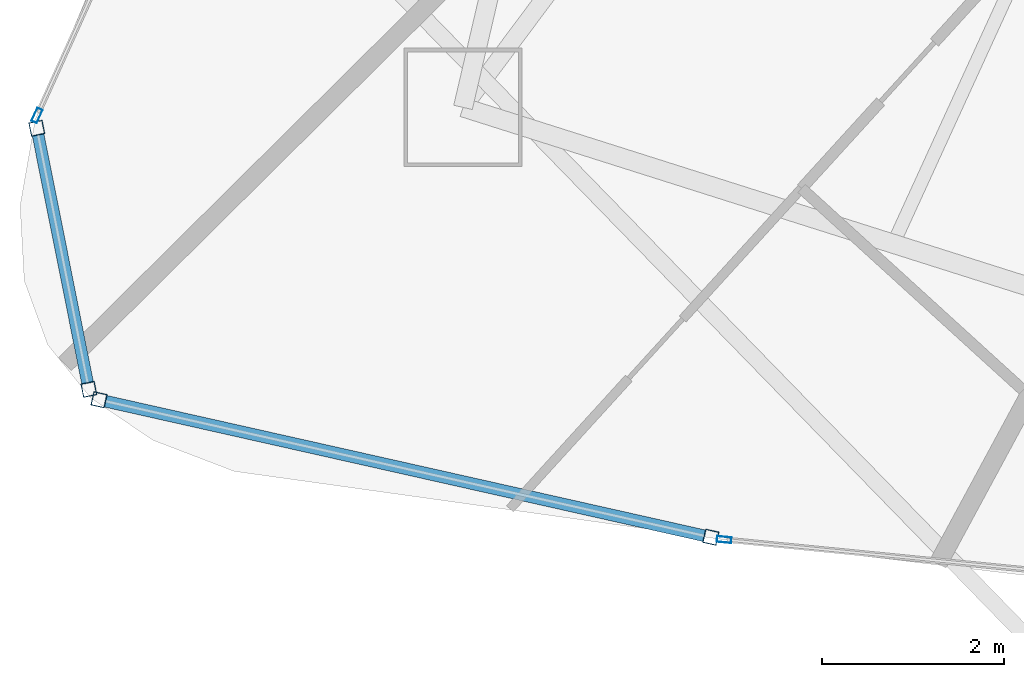
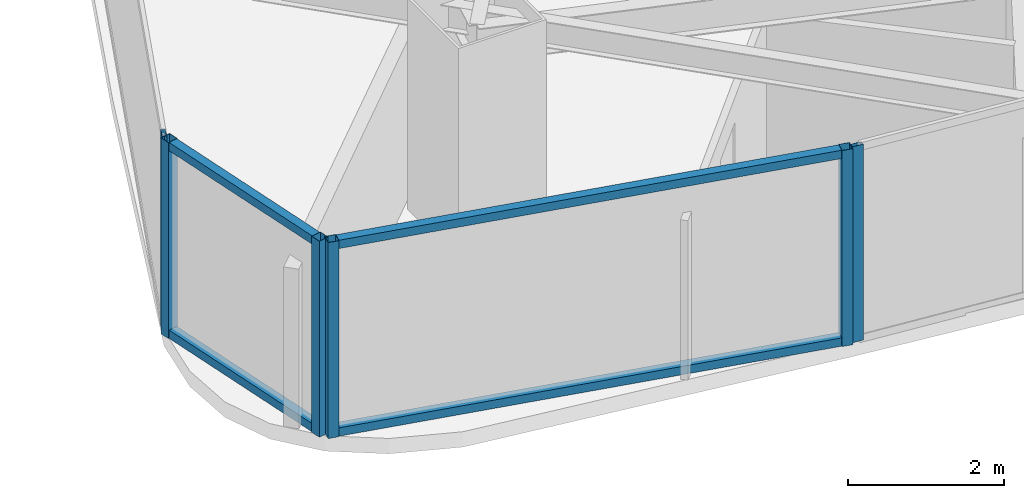
# One storey, part 2 of 34: 10 members, 4 elements without a shape of their own.
"""IFC4 building model written with IfcOpenShell, lengths in metres."""

from ifc_helpers import new_model, si_unit, direction, frame, origin, origin_2d, place, context, subcontext, project, spatial, hollow_rectangle, extrude, material, layer, layer_set, material_profile, profile_set, type_object, element, aggregate, save


model = new_model("IFC4")

# Units and contexts
model_context = context("Model", 3, precision=1e-05, world=origin(), true_north=direction((0.0, 1.0)))
body_context = subcontext(model_context, "Body", "Model", "MODEL_VIEW")
ifc_project = project(units=[si_unit("LENGTHUNIT", "METRE"), si_unit("AREAUNIT", "SQUARE_METRE"), si_unit("VOLUMEUNIT", "CUBIC_METRE"), si_unit("PLANEANGLEUNIT", "RADIAN"), si_unit("MASSUNIT", "GRAM", prefix="KILO")], contexts=[model_context])

# Site, building, storey
site_placement = place(None, origin())
site = spatial("IfcSite", under=ifc_project, at=site_placement, CompositionType="ELEMENT")
building_placement = place(site_placement, origin())
building = spatial("IfcBuilding", under=site, at=building_placement, Name="Orvanel Arch Residences", CompositionType="ELEMENT")
storey_placement = place(building_placement, frame((0.0, 0.0, 199.699951171875)))
storey = spatial("IfcBuildingStorey", under=building, at=storey_placement, Name="L56", CompositionType="ELEMENT", Elevation=199.699951171875)

# Curtain wall, members
ifc_material = material(Name="Bronze-anodised aluminium AA6063-T6", Category="aluminium")
ifc_layer_1 = layer(ifc_material, 0.18994140625)
ifc_layer_set_1 = layer_set([ifc_layer_1], Name="Bronze-anodised aluminium AA6063-T6")
curtain_wall_type_1 = type_object("IfcCurtainWallType", Name="CW5-CRN-SYS", PredefinedType="NOTDEFINED", material=ifc_layer_set_1)
curtain_wall_1_placement = place(storey_placement, origin())
curtain_wall_1 = element("IfcCurtainWall", 1, at=curtain_wall_1_placement, inside=storey, type_object=curtain_wall_type_1, Name="L56 CW5-CRN-SYS Unitised Curtain Wall", PredefinedType="NOTDEFINED")
ifc_material_profile_1 = material_profile(ifc_material, hollow_rectangle(XDim=0.14990234375, YDim=0.14990234375, WallThickness=0.0048828125, at=origin_2d()), Name="ALU150x150x5")
ifc_profile_set_1 = profile_set([ifc_material_profile_1], Name="Bronze-anodised aluminium AA6063-T6")
member_type_1 = type_object("IfcMemberType", Name="MUL-150x150", PredefinedType="MULLION", material=ifc_profile_set_1)
member_1_placement = place(storey_placement, frame((9.517578125, 10.121337890625, 0.0), z_axis=(0.0, 0.0, 1.0), x_axis=(0.980705582129, 0.195490565454, 0.0)))
member_1 = element("IfcMember", 2, at=member_1_placement, type_object=member_type_1, Name="CW-S5 mullion 1", PredefinedType="MULLION", context=body_context, shape_type="SweptSolid", body=[
    extrude(hollow_rectangle(XDim=0.14990234375, YDim=0.14990234375, WallThickness=0.0048828125, at=origin_2d()), origin(), (0.0, 0.0, 1.0), 3.06005859375),
])
member_2_placement = place(storey_placement, frame((10.08935546875, 7.253662109375, 0.0), z_axis=(0.0, 0.0, 1.0), x_axis=(0.980705582129, 0.195490565454, 0.0)))
member_2 = element("IfcMember", 3, at=member_2_placement, type_object=member_type_1, Name="CW-S5 mullion 2", PredefinedType="MULLION", context=body_context, shape_type="SweptSolid", body=[
    extrude(hollow_rectangle(XDim=0.14990234375, YDim=0.14990234375, WallThickness=0.0048828125, at=origin_2d()), origin(), (0.0, 0.0, 1.0), 3.06005859375),
])

curtain_wall_2_placement = place(storey_placement, origin())
curtain_wall_2 = element("IfcCurtainWall", 4, at=curtain_wall_2_placement, inside=storey, type_object=curtain_wall_type_1, Name="L56 CW5-CRN-SYS Unitised Curtain Wall", PredefinedType="NOTDEFINED")
member_3_placement = place(storey_placement, frame((10.201171875, 7.1396484375, 0.0), z_axis=(0.0, 0.0, 1.0), x_axis=(0.219261968278, 0.975666023426, 0.0)))
member_3 = element("IfcMember", 5, at=member_3_placement, type_object=member_type_1, Name="CW-S5 mullion 1", PredefinedType="MULLION", context=body_context, shape_type="SweptSolid", body=[
    extrude(hollow_rectangle(XDim=0.14990234375, YDim=0.14990234375, WallThickness=0.0048828125, at=origin_2d()), origin(), (0.0, 0.0, 1.0), 3.06005859375),
])
member_4_placement = place(storey_placement, frame((16.9208984375, 5.62939453125, 0.0), z_axis=(0.0, 0.0, 1.0), x_axis=(0.219261968278, 0.975666023426, 0.0)))
member_4 = element("IfcMember", 6, at=member_4_placement, type_object=member_type_1, Name="CW-S5 mullion 2", PredefinedType="MULLION", context=body_context, shape_type="SweptSolid", body=[
    extrude(hollow_rectangle(XDim=0.14990234375, YDim=0.14990234375, WallThickness=0.0048828125, at=origin_2d()), origin(), (0.0, 0.0, 1.0), 3.06005859375),
])

# Curtain wall, member
ifc_layer_2 = layer(ifc_material, 0.175048828125)
ifc_layer_set_2 = layer_set([ifc_layer_2], Name="Bronze-anodised aluminium AA6063-T6")
curtain_wall_type_2 = type_object("IfcCurtainWallType", Name="CW4-HI-SYS", PredefinedType="NOTDEFINED", material=ifc_layer_set_2)
curtain_wall_3_placement = place(storey_placement, origin())
curtain_wall_3 = element("IfcCurtainWall", 7, at=curtain_wall_3_placement, inside=storey, type_object=curtain_wall_type_2, Name="L56 CW4-HI-SYS Unitised Curtain Wall", PredefinedType="NOTDEFINED")
ifc_material_profile_2 = material_profile(ifc_material, hollow_rectangle(XDim=0.06494140625, YDim=0.159912109375, WallThickness=0.00390625, at=origin_2d()), Name="ALU160x65x4")
ifc_profile_set_2 = profile_set([ifc_material_profile_2], Name="Bronze-anodised aluminium AA6063-T6")
member_type_2 = type_object("IfcMemberType", Name="MUL-160x65", PredefinedType="MULLION", material=ifc_profile_set_2)
member_5_placement = place(storey_placement, frame((9.520263671875, 10.2626953125, 0.0), z_axis=(0.0, 0.0, 1.0), x_axis=(0.911289439148, -0.41176638777, 0.0)))
member_5 = element("IfcMember", 8, at=member_5_placement, type_object=member_type_2, Name="CW-S4 mullion 3", PredefinedType="MULLION", context=body_context, shape_type="SweptSolid", body=[
    extrude(hollow_rectangle(XDim=0.06494140625, YDim=0.159912109375, WallThickness=0.00390625, at=origin_2d()), origin(), (0.0, 0.0, 1.0), 3.06005859375),
])
aggregate(curtain_wall_3, [member_5])

curtain_wall_4_placement = place(storey_placement, origin())
curtain_wall_4 = element("IfcCurtainWall", 9, at=curtain_wall_4_placement, inside=storey, type_object=curtain_wall_type_2, Name="L56 CW4-HI-SYS Unitised Curtain Wall", PredefinedType="NOTDEFINED")
member_6_placement = place(storey_placement, frame((17.06640625, 5.603759765625, 0.0), z_axis=(0.0, 0.0, 1.0), x_axis=(0.098417861591, 0.99514517761, 0.0)))
member_6 = element("IfcMember", 10, at=member_6_placement, type_object=member_type_2, Name="CW-S4 mullion 1", PredefinedType="MULLION", context=body_context, shape_type="SweptSolid", body=[
    extrude(hollow_rectangle(XDim=0.06494140625, YDim=0.159912109375, WallThickness=0.00390625, at=origin_2d()), origin(), (0.0, 0.0, 1.0), 3.06005859375),
])
aggregate(curtain_wall_4, [member_6])

# Member
ifc_material_profile_3 = material_profile(ifc_material, hollow_rectangle(XDim=0.1298828125, YDim=0.1298828125, WallThickness=0.00439453125, at=origin_2d()), Name="ALU130x130x4.5")
ifc_profile_set_3 = profile_set([ifc_material_profile_3], Name="Bronze-anodised aluminium AA6063-T6")
member_type_3 = type_object("IfcMemberType", Name="TRN-130x130", PredefinedType="USERDEFINED", material=ifc_profile_set_3)
member_7_placement = place(storey_placement, frame((9.5322265625, 10.0478515625, 0.06494140625), z_axis=(0.19554070292, -0.980695586562, 0.0), x_axis=(0.980695586562, 0.19554070292, 0.0)))
member_7 = element("IfcMember", 11, at=member_7_placement, type_object=member_type_3, Name="CW-S5 transom 1.1", ObjectType="TRANSOM", PredefinedType="USERDEFINED", context=body_context, shape_type="SweptSolid", body=[
    extrude(hollow_rectangle(XDim=0.1298828125, YDim=0.1298828125, WallThickness=0.00439453125, at=origin_2d()), origin(), (0.0, 0.0, 1.0), 2.774169921875),
])

member_8_placement = place(storey_placement, frame((9.5322265625, 10.0478515625, 2.9951171875), z_axis=(0.19554070292, -0.980695586562, 0.0), x_axis=(0.980695586562, 0.19554070292, 0.0)))
member_8 = element("IfcMember", 12, at=member_8_placement, type_object=member_type_3, Name="CW-S5 transom 1.2", ObjectType="TRANSOM", PredefinedType="USERDEFINED", context=body_context, shape_type="SweptSolid", body=[
    extrude(hollow_rectangle(XDim=0.1298828125, YDim=0.1298828125, WallThickness=0.00439453125, at=origin_2d()), origin(), (0.0, 0.0, 1.0), 2.774169921875),
])

aggregate(curtain_wall_1, [member_1, member_2, member_7, member_8])

member_9_placement = place(storey_placement, frame((10.2744140625, 7.123046875, 0.06494140625), z_axis=(0.975671027253, -0.219239701192, 0.0), x_axis=(0.219239701192, 0.975671027253, 0.0)))
member_9 = element("IfcMember", 13, at=member_9_placement, type_object=member_type_3, Name="CW-S5 transom 1.1", ObjectType="TRANSOM", PredefinedType="USERDEFINED", context=body_context, shape_type="SweptSolid", body=[
    extrude(hollow_rectangle(XDim=0.1298828125, YDim=0.1298828125, WallThickness=0.00439453125, at=origin_2d()), origin(), (0.0, 0.0, 1.0), 6.737060546875),
])

member_10_placement = place(storey_placement, frame((10.2744140625, 7.123046875, 2.9951171875), z_axis=(0.975671027253, -0.219239701192, 0.0), x_axis=(0.219239701192, 0.975671027253, 0.0)))
member_10 = element("IfcMember", 14, at=member_10_placement, type_object=member_type_3, Name="CW-S5 transom 1.2", ObjectType="TRANSOM", PredefinedType="USERDEFINED", context=body_context, shape_type="SweptSolid", body=[
    extrude(hollow_rectangle(XDim=0.1298828125, YDim=0.1298828125, WallThickness=0.00439453125, at=origin_2d()), origin(), (0.0, 0.0, 1.0), 6.737060546875),
])

aggregate(curtain_wall_2, [member_3, member_4, member_9, member_10])

save(model, "model.ifc")
